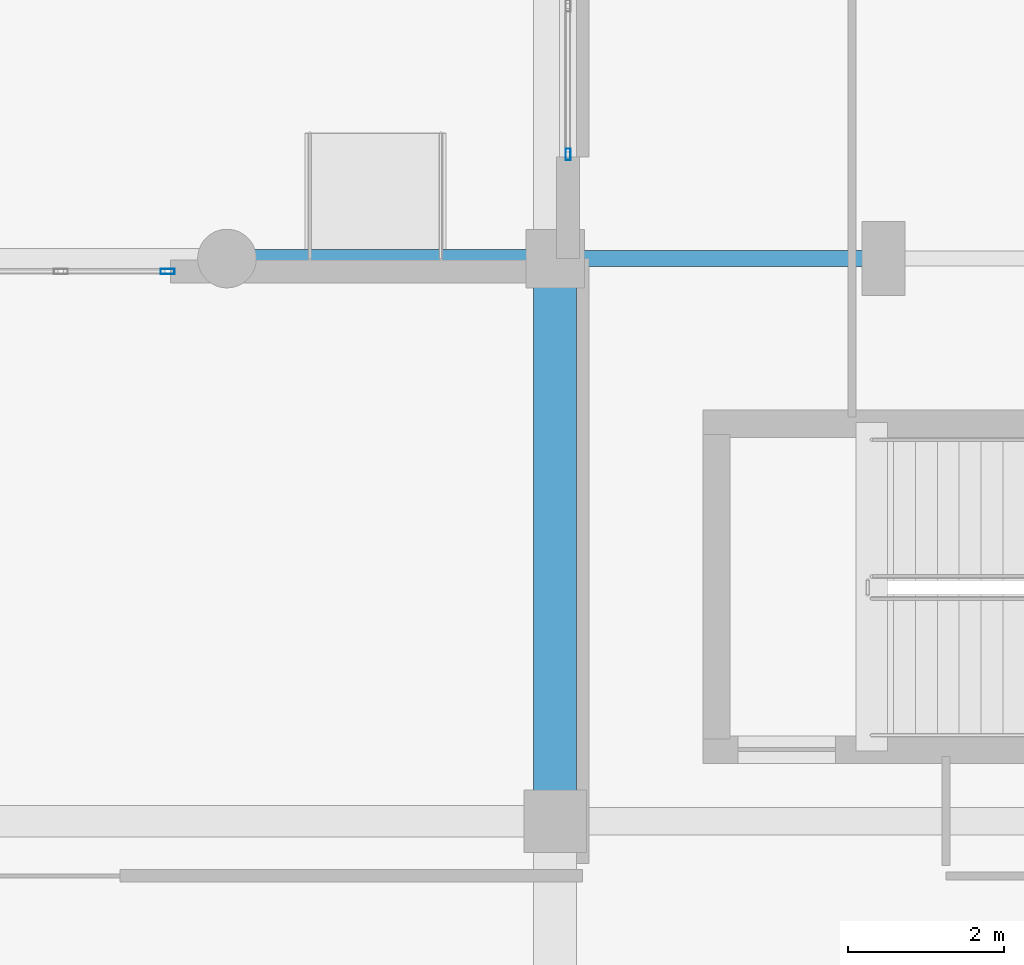
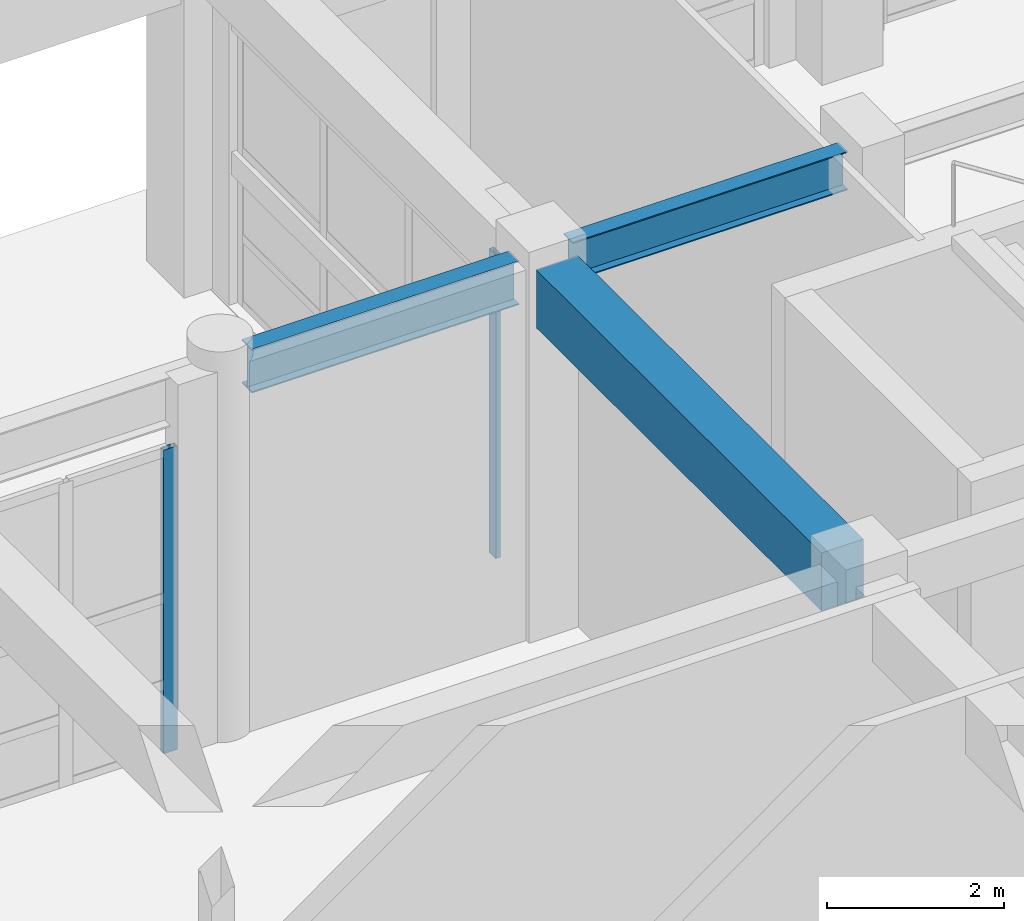
# One storey, part 89 of 148: 3 beams, 2 members, 2 elements without a shape of their own.
"""IFC4 building model written with IfcOpenShell, lengths in metres."""

import ifcopenshell
import ifcopenshell.guid

model = None  # the IFC model being written
_history = None  # IfcOwnerHistory: only IFC2X3 demands one
_inside = {}  # id of a spatial element -> (the spatial element, [elements in it])
_under = {}  # id of a project, library or spatial element -> (it, [spatial elements below it])
_declared = {}  # id of a project -> (the project, [libraries it declares])
_typed = {}  # id of a type object -> (the type object, [elements of that type])
_made_of = {}  # id of a material, layer set ... -> (it, [elements and type objects made of it])


def new_model(schema):
    """Start an empty IFC model of exactly this schema.

    Asked for "IFC4X3", IfcOpenShell would pick the latest addendum, in which some entities
    have other attributes; the version numbers below select the first issue.
    IFC2X3 requires an IfcOwnerHistory on every rooted entity: one is made here for all.
    """
    global model, _history
    if schema == "IFC4X3":
        model = ifcopenshell.file(schema_version=(4, 3, 0, 0))
    else:
        model = ifcopenshell.file(schema=schema)
    _inside.clear()
    _under.clear()
    _declared.clear()
    _typed.clear()
    _made_of.clear()
    _history = None
    if model.schema == "IFC2X3":
        org = make("IfcOrganization", Name="unknown")
        user = make(
            "IfcPersonAndOrganization",
            ThePerson=make("IfcPerson", FamilyName="unknown"),
            TheOrganization=org,
        )
        app = make(
            "IfcApplication",
            ApplicationDeveloper=org,
            Version="unknown",
            ApplicationFullName="unknown",
            ApplicationIdentifier="unknown",
        )
        _history = make(
            "IfcOwnerHistory",
            OwningUser=user,
            OwningApplication=app,
            ChangeAction="ADDED",
            CreationDate=0,
        )
    return model


def make(cls, **values):
    """One entity of the class cls with the attributes given. An attribute that is None is left unset."""
    return model.create_entity(
        cls, **{name: value for name, value in values.items() if value is not None}
    )


def rooted(cls, **values):
    """An entity with a GlobalId (a new one), such as an element, a storey or a relation."""
    return make(cls, GlobalId=ifcopenshell.guid.new(), OwnerHistory=_history, **values)


def si_unit(unit_type, name, prefix=None):
    """IfcSIUnit, for example si_unit("LENGTHUNIT", "METRE", prefix="MILLI")."""
    return make("IfcSIUnit", UnitType=unit_type, Prefix=prefix, Name=name)


def assignment(units):
    """IfcUnitAssignment: the units of a project."""
    return None if units is None else make("IfcUnitAssignment", Units=units)


def point(xyz):
    """IfcCartesianPoint."""
    return None if xyz is None else make("IfcCartesianPoint", Coordinates=xyz)


def direction(xyz):
    """IfcDirection."""
    return None if xyz is None else make("IfcDirection", DirectionRatios=xyz)


def frame(location, z_axis=None, x_axis=None):
    """IfcAxis2Placement3D, a coordinate frame: its origin and axes. An axis left out is left unset."""
    return make(
        "IfcAxis2Placement3D",
        Location=point(location),
        Axis=direction(z_axis),
        RefDirection=direction(x_axis),
    )


def frame_2d(location, x_axis=None):
    """IfcAxis2Placement2D, a coordinate frame in the plane: its origin and x axis."""
    return make(
        "IfcAxis2Placement2D", Location=point(location), RefDirection=direction(x_axis)
    )


def origin():
    """The frame at (0, 0, 0) with its axes left unset."""
    return frame((0.0, 0.0, 0.0))


def origin_2d():
    """The frame at (0, 0) in the plane with its x axis left unset."""
    return frame_2d((0.0, 0.0))


def place(relative_to, where):
    """IfcLocalPlacement: puts the frame where relative to a parent placement (None: the world)."""
    return make(
        "IfcLocalPlacement", PlacementRelTo=relative_to, RelativePlacement=where
    )


def context(
    kind, dimensions, precision=None, world=None, true_north=None, identifier=None
):
    """IfcGeometricRepresentationContext, for example the 3D "Model" context."""
    return make(
        "IfcGeometricRepresentationContext",
        ContextIdentifier=identifier,
        ContextType=kind,
        CoordinateSpaceDimension=dimensions,
        Precision=precision,
        WorldCoordinateSystem=world,
        TrueNorth=true_north,
    )


def subcontext(parent, identifier, kind, view, scale=None):
    """IfcGeometricRepresentationSubContext, for example "Body" below "Model"."""
    return make(
        "IfcGeometricRepresentationSubContext",
        ContextIdentifier=identifier,
        ContextType=kind,
        ParentContext=parent,
        TargetScale=scale,
        TargetView=view,
    )


def project(units=None, contexts=None):
    """IfcProject with its units and contexts."""
    return rooted(
        "IfcProject",
        Name="project",
        RepresentationContexts=contexts,
        UnitsInContext=assignment(units),
    )


def spatial(cls, under=None, at=None, **own):
    """A site, building, storey or space (cls), placed at a placement, below another one or the project."""
    s = rooted(cls, ObjectPlacement=at, **own)
    if under is not None:
        _under.setdefault(under.id(), (under, []))[1].append(s)
    return s


def profile(cls, at=None, kind="AREA", **sizes):
    """A parametric profile (cls). Its sizes go by their IFC names, for example OverallWidth=200.0."""
    return make(cls, ProfileType=kind, Position=at, **sizes)


def rectangle(**sizes):
    """IfcRectangleProfileDef."""
    return profile("IfcRectangleProfileDef", **sizes)


def hollow_rectangle(**sizes):
    """IfcRectangleHollowProfileDef."""
    return profile("IfcRectangleHollowProfileDef", **sizes)


def i_section(**sizes):
    """IfcIShapeProfileDef."""
    return profile("IfcIShapeProfileDef", **sizes)


def extrude(swept, where, along, depth):
    """IfcExtrudedAreaSolid: the profile swept, set in the frame where, extruded along a direction by depth."""
    return make(
        "IfcExtrudedAreaSolid",
        SweptArea=swept,
        Position=where,
        ExtrudedDirection=direction(along),
        Depth=depth,
    )


def shape(context_of_items, identifier, shape_type, items):
    """IfcShapeRepresentation: the items that make up one representation, for example the "Body"."""
    return make(
        "IfcShapeRepresentation",
        ContextOfItems=context_of_items,
        RepresentationIdentifier=identifier,
        RepresentationType=shape_type,
        Items=items,
    )


def material(Name=None, Category=None):
    """IfcMaterial."""
    return make("IfcMaterial", Name=Name, Category=Category)


def layer(
    of_material, thickness, ventilated=None, Name=None, Category=None, Priority=None
):
    """IfcMaterialLayer: one layer of a wall or slab, of a material (None: an air gap)."""
    return make(
        "IfcMaterialLayer",
        Material=of_material,
        LayerThickness=thickness,
        IsVentilated=ventilated,
        Name=Name,
        Category=Category,
        Priority=Priority,
    )


def layer_set(layers, Name=None):
    """IfcMaterialLayerSet."""
    return make("IfcMaterialLayerSet", MaterialLayers=layers, LayerSetName=Name)


def material_profile(
    of_material, cross_section, Name=None, Category=None, Priority=None
):
    """IfcMaterialProfile: a cross section and its material."""
    return make(
        "IfcMaterialProfile",
        Name=Name,
        Material=of_material,
        Profile=cross_section,
        Priority=Priority,
        Category=Category,
    )


def profile_set(profiles, Name=None, composite=None):
    """IfcMaterialProfileSet."""
    return make(
        "IfcMaterialProfileSet",
        Name=Name,
        MaterialProfiles=profiles,
        CompositeProfile=composite,
    )


def made_of(thing, what):
    """Note that an element or type object is made of a material, layer set ...; save() writes the relation."""
    if what is not None:
        _made_of.setdefault(what.id(), (what, []))[1].append(thing)
    return thing


def type_object(cls, material=None, **own):
    """A type object (cls), such as IfcWallType, which elements share."""
    return made_of(rooted(cls, **own), material)


def element(
    cls,
    number,
    at=None,
    inside=None,
    cuts=None,
    type_object=None,
    material=None,
    context=None,
    identifier="Body",
    shape_type=None,
    held_by="IfcProductDefinitionShape",
    body=None,
    shapes=None,
    **own,
):
    """One element of the class cls, such as IfcWall. Its Tag is "e" and its number.

    at: its placement. inside: the storey or other place that contains it. cuts: it is an
    opening in that element (IfcRelVoidsElement). A single representation is given by context,
    identifier, shape_type and body (its items); several are given by shapes. held_by: the class
    of the entity that holds the representations. save() writes the other relations.
    """
    e = rooted(cls, Tag="e%d" % number, ObjectPlacement=at, **own)
    if body is not None:
        shapes = [shape(context, identifier, shape_type, body)]
    if shapes is not None:
        e.Representation = make(held_by, Representations=shapes)
    if inside is not None:
        _inside.setdefault(inside.id(), (inside, []))[1].append(e)
    if cuts is not None:
        rooted(
            "IfcRelVoidsElement", RelatingBuildingElement=cuts, RelatedOpeningElement=e
        )
    if type_object is not None:
        _typed.setdefault(type_object.id(), (type_object, []))[1].append(e)
    return made_of(e, material)


def aggregate(whole, parts):
    """IfcRelAggregates: a whole, such as a stair, and the parts it consists of."""
    return rooted("IfcRelAggregates", RelatingObject=whole, RelatedObjects=parts)


def save(model, path):
    """Write the relations noted so far, then the file.

    IfcRelAggregates (storeys below a building ...), IfcRelContainedInSpatialStructure (elements
    in a storey), IfcRelDefinesByType, IfcRelAssociatesMaterial and IfcRelDeclares: one each for
    every whole, place, type object, material and project.
    """
    for whole, parts in _under.values():
        aggregate(whole, parts)
    for where, things in _inside.values():
        rooted(
            "IfcRelContainedInSpatialStructure",
            RelatedElements=things,
            RelatingStructure=where,
        )
    for kind, things in _typed.values():
        rooted("IfcRelDefinesByType", RelatedObjects=things, RelatingType=kind)
    for what, things in _made_of.values():
        rooted("IfcRelAssociatesMaterial", RelatedObjects=things, RelatingMaterial=what)
    for by, libraries in _declared.values():
        rooted("IfcRelDeclares", RelatingContext=by, RelatedDefinitions=libraries)
    model.write(path)


model = new_model("IFC4")

# Units and contexts
model_context = context("Model", 3, precision=1e-05, world=origin(), true_north=direction((0.0, 1.0)))
body_context = subcontext(model_context, "Body", "Model", "MODEL_VIEW")
ifc_project = project(units=[si_unit("LENGTHUNIT", "METRE"), si_unit("AREAUNIT", "SQUARE_METRE"), si_unit("VOLUMEUNIT", "CUBIC_METRE"), si_unit("PLANEANGLEUNIT", "RADIAN"), si_unit("MASSUNIT", "GRAM", prefix="KILO")], contexts=[model_context])

# Site, building, storey
site_placement = place(None, origin())
site = spatial("IfcSite", under=ifc_project, at=site_placement, CompositionType="ELEMENT")
building_placement = place(site_placement, origin())
building = spatial("IfcBuilding", under=site, at=building_placement, Name="Quendrovan Civic Courthouse", CompositionType="ELEMENT")
storey_placement = place(building_placement, origin())
storey = spatial("IfcBuildingStorey", under=building, at=storey_placement, Name="L01", CompositionType="ELEMENT", Elevation=0.0)

# Beams
ifc_material_1 = material(Name="Concrete C40/50", Category="concrete")
ifc_material_profile_1 = material_profile(ifc_material_1, rectangle(XDim=0.550048828125, YDim=0.800048828125, at=origin_2d()), Name="RC-BM-550x800")
ifc_profile_set_1 = profile_set([ifc_material_profile_1], Name="Concrete C40/50")
beam_type_1 = type_object("IfcBeamType", Name="BM-RC800", PredefinedType="BEAM", material=ifc_profile_set_1)
beam_1_placement = place(storey_placement, frame((109.199951171875, 95.179931640625, 4.719970703125), z_axis=(0.0, 1.0, 0.0), x_axis=(-1.0, 0.0, 0.0)))
element("IfcBeam", 1, at=beam_1_placement, inside=storey, type_object=beam_type_1, Name="L01 Girder Y0462", PredefinedType="BEAM", context=body_context, shape_type="SweptSolid", body=[
    extrude(rectangle(XDim=0.550048828125, YDim=0.800048828125, at=origin_2d()), origin(), (0.0, 0.0, 1.0), 6.465087890625),
])
ifc_material_2 = material(Name="Steel ASTM A992 Grade 50", Category="steel")
ifc_material_profile_2 = material_profile(ifc_material_2, i_section(OverallWidth=0.208984375, OverallDepth=0.532958984375, WebThickness=0.01025390625, FlangeThickness=0.015625, at=origin_2d()), Name="W21X62")
ifc_profile_set_2 = profile_set([ifc_material_profile_2], Name="Steel ASTM A992 Grade 50")
beam_type_2 = type_object("IfcBeamType", Name="BM-STL-W21", PredefinedType="JOIST", material=ifc_profile_set_2)
beam_2_placement = place(storey_placement, frame((109.554931640625, 102.0, 4.853515625), z_axis=(1.0, 0.0, 0.0), x_axis=(0.0, 1.0, 0.0)))
element("IfcBeam", 2, at=beam_2_placement, inside=storey, type_object=beam_type_2, Name="L01 Girder X0349", PredefinedType="JOIST", context=body_context, shape_type="SweptSolid", body=[
    extrude(i_section(OverallWidth=0.208984375, OverallDepth=0.532958984375, WebThickness=0.01025390625, FlangeThickness=0.015625, at=origin_2d()), origin(), (0.0, 0.0, 1.0), 3.590087890625),
])
ifc_material_profile_3 = material_profile(ifc_material_2, i_section(OverallWidth=0.22802734375, OverallDepth=0.60693359375, WebThickness=0.01123046875, FlangeThickness=0.017333984375, at=origin_2d()), Name="W24X76")
ifc_profile_set_3 = profile_set([ifc_material_profile_3], Name="Steel ASTM A992 Grade 50")
beam_type_3 = type_object("IfcBeamType", Name="BM-STL-W24", PredefinedType="BEAM", material=ifc_profile_set_3)
beam_3_placement = place(storey_placement, frame((105.35498046875, 102.0, 4.81640625), z_axis=(1.0, 0.0, 0.0), x_axis=(0.0, 1.0, 0.0)))
element("IfcBeam", 3, at=beam_3_placement, inside=storey, type_object=beam_type_3, Name="L01 Girder X0348", PredefinedType="BEAM", context=body_context, shape_type="SweptSolid", body=[
    extrude(i_section(OverallWidth=0.22802734375, OverallDepth=0.60693359375, WebThickness=0.01123046875, FlangeThickness=0.017333984375, at=origin_2d()), origin(), (0.0, 0.0, 1.0), 3.489990234375),
])

# Curtain wall, member
ifc_material_3 = material(Name="Bronze anodised aluminium and low-E glass", Category="aluminium")
ifc_layer_1 = layer(ifc_material_3, 0.179931640625, Name="Bronze anodised aluminium and low-E glass")
ifc_layer_set_1 = layer_set([ifc_layer_1], Name="Bronze anodised aluminium and low-E glass")
curtain_wall_type_1 = type_object("IfcCurtainWallType", Name="CW-U28x42", PredefinedType="USERDEFINED", material=ifc_layer_set_1)
curtain_wall_1_placement = place(storey_placement, origin())
curtain_wall_1 = element("IfcCurtainWall", 4, at=curtain_wall_1_placement, inside=storey, type_object=curtain_wall_type_1, Name="L01 Unitised Hurricane Curtain Wall CW-034", ObjectType="UNITISED CURTAIN WALL", PredefinedType="USERDEFINED")
ifc_material_4 = material(Name="Bronze anodised aluminium", Category="aluminium")
ifc_material_profile_4 = material_profile(ifc_material_4, hollow_rectangle(XDim=0.070068359375, YDim=0.179931640625, WallThickness=0.00390625, at=origin_2d()), Name="CW-MULL-70x180")
ifc_profile_set_4 = profile_set([ifc_material_profile_4], Name="Bronze anodised aluminium")
member_type_1 = type_object("IfcMemberType", Name="CW-MULL-A", PredefinedType="MULLION", material=ifc_profile_set_4)
member_1_placement = place(storey_placement, frame((104.239990234375, 101.8349609375, 0.0), z_axis=(0.0, 0.0, 1.0), x_axis=(0.0, 1.0, 0.0)))
member_1 = element("IfcMember", 5, at=member_1_placement, type_object=member_type_1, Name="CW-034 mullion 3", PredefinedType="MULLION", context=body_context, shape_type="SweptSolid", body=[
    extrude(hollow_rectangle(XDim=0.070068359375, YDim=0.179931640625, WallThickness=0.00390625, at=origin_2d()), origin(), (0.0, 0.0, 1.0), 4.199951171875),
])
aggregate(curtain_wall_1, [member_1])

ifc_layer_2 = layer(ifc_material_3, 0.179931640625, Name="Bronze anodised aluminium and low-E glass")
ifc_layer_set_2 = layer_set([ifc_layer_2], Name="Bronze anodised aluminium and low-E glass")
curtain_wall_type_2 = type_object("IfcCurtainWallType", Name="CW-U58x42", PredefinedType="USERDEFINED", material=ifc_layer_set_2)
curtain_wall_2_placement = place(storey_placement, origin())
curtain_wall_2 = element("IfcCurtainWall", 6, at=curtain_wall_2_placement, inside=storey, type_object=curtain_wall_type_2, Name="L01 Unitised Hurricane Curtain Wall CW-035", ObjectType="UNITISED CURTAIN WALL", PredefinedType="USERDEFINED")
ifc_material_profile_5 = material_profile(ifc_material_4, hollow_rectangle(XDim=0.06494140625, YDim=0.14990234375, WallThickness=0.00390625, at=origin_2d()), Name="CW-MULL-65x150")
ifc_profile_set_5 = profile_set([ifc_material_profile_5], Name="Bronze anodised aluminium")
member_type_2 = type_object("IfcMemberType", Name="CW-MULL-B", PredefinedType="MULLION", material=ifc_profile_set_5)
member_2_placement = place(storey_placement, frame((109.364990234375, 103.33251953125, 0.0), z_axis=(0.0, 0.0, 1.0), x_axis=(-1.0, 0.0, 0.0)))
member_2 = element("IfcMember", 7, at=member_2_placement, type_object=member_type_2, Name="CW-035 mullion 1", PredefinedType="MULLION", context=body_context, shape_type="SweptSolid", body=[
    extrude(hollow_rectangle(XDim=0.06494140625, YDim=0.14990234375, WallThickness=0.00390625, at=origin_2d()), origin(), (0.0, 0.0, 1.0), 4.199951171875),
])
aggregate(curtain_wall_2, [member_2])

save(model, "model.ifc")
